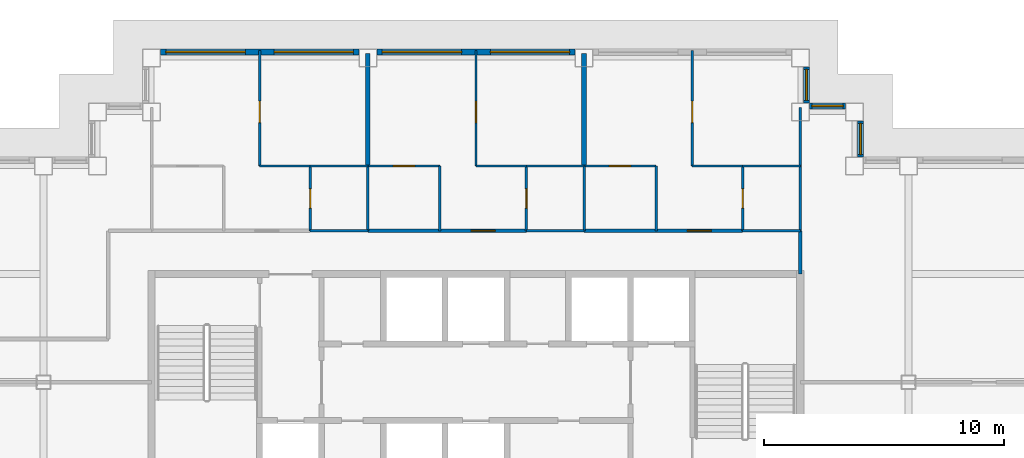
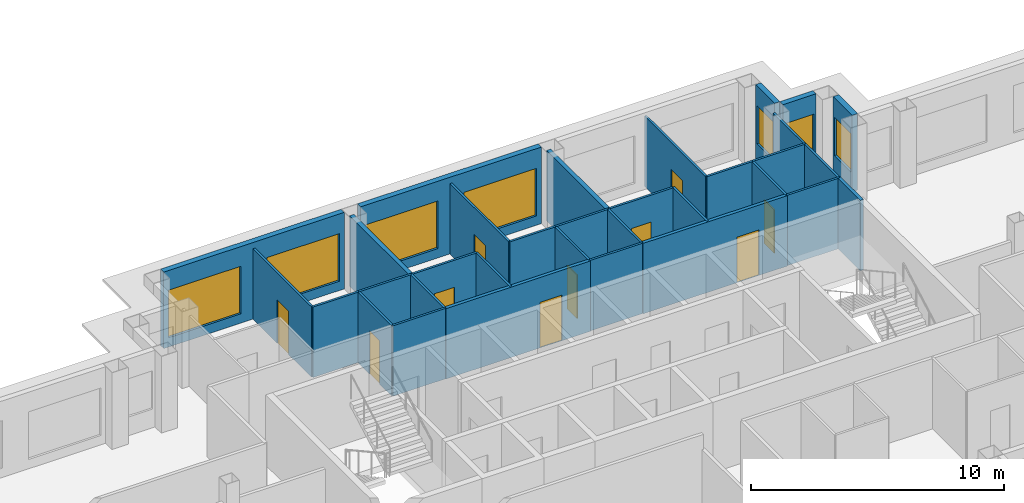
# One storey, part 8 of 13: 33 walls, 10 doors, 7 windows, 17 openings.
"""IFC4 building model written with IfcOpenShell, lengths in metres."""

from ifc_helpers import new_model, si_unit, direction, frame, frame_2d, origin, place, context, subcontext, project, spatial, rectangle, extrude, material, layer, layer_set, type_object, element, fill, save


model = new_model("IFC4")

# Units and contexts
model_context = context("Model", 3, precision=1e-05, world=origin(), true_north=direction((0.0, 1.0)))
body_context = subcontext(model_context, "Body", "Model", "MODEL_VIEW")
ifc_project = project(units=[si_unit("LENGTHUNIT", "METRE"), si_unit("AREAUNIT", "SQUARE_METRE"), si_unit("VOLUMEUNIT", "CUBIC_METRE"), si_unit("PLANEANGLEUNIT", "RADIAN"), si_unit("MASSUNIT", "GRAM", prefix="KILO")], contexts=[model_context])

# Site, building, storey
site_placement = place(None, origin())
site = spatial("IfcSite", under=ifc_project, at=site_placement, CompositionType="ELEMENT")
building_placement = place(site_placement, origin())
building = spatial("IfcBuilding", under=site, at=building_placement, Name="Caravel Reach Hotel and Residences", CompositionType="ELEMENT")
storey_placement = place(building_placement, frame((0.0, 0.0, 169.10009765625)))
storey = spatial("IfcBuildingStorey", under=building, at=storey_placement, Name="L42", CompositionType="ELEMENT", Elevation=169.10009765625)

# Walls
ifc_material_1 = material(Name="Gypsum board on steel stud", Category="steel")
ifc_layer_1 = layer(ifc_material_1, 0.10009765625)
ifc_layer_set_1 = layer_set([ifc_layer_1], Name="Bathroom pod wall 100 mm")
wall_type_1 = type_object("IfcWallType", Name="Bathroom pod wall 100 mm", PredefinedType="PARTITIONING", material=ifc_layer_set_1)
for number, where, z_axis, x_axis, name in (
    (1, (24.60009765625, 33.300048828125, 0.0), (0.0, 0.0, 1.0), (1.0, 0.0, 0.0), "L42 wall w083"),
    (2, (33.60009765625, 33.300048828125, 0.0), (0.0, 0.0, 1.0), (1.0, 0.0, 0.0), "L42 wall w084"),
    (3, (42.60009765625, 33.300048828125, 0.0), (0.0, 0.0, 1.0), (1.0, 0.0, 0.0), "L42 wall w085"),
    (4, (24.60009765625, 36.0, 0.0), (0.0, 0.0, 1.0), (1.0, 0.0, 0.0), "L42 wall w086"),
    (5, (33.60009765625, 36.0, 0.0), (0.0, 0.0, 1.0), (1.0, 0.0, 0.0), "L42 wall w087"),
    (6, (42.60009765625, 36.0, 0.0), (0.0, 0.0, 1.0), (1.0, 0.0, 0.0), "L42 wall w088"),
):
    element("IfcWall", number, at=place(storey_placement, frame(where, z_axis=z_axis, x_axis=x_axis)), inside=storey, type_object=wall_type_1, Name=name, PredefinedType="PARTITIONING", context=body_context, shape_type="SweptSolid", body=[
        extrude(rectangle(XDim=2.39990234375, YDim=0.10009765625, at=frame_2d((1.199951171875, 0.0))), origin(), (0.0, 0.0, 1.0), 3.39990234375),
    ])

# Wall, opening, door
wall_1_placement = place(storey_placement, frame((24.60009765625, 33.300048828125, 0.0), z_axis=(0.0, 0.0, 1.0), x_axis=(0.0, 1.0, 0.0)))
wall_1 = element("IfcWall", 7, at=wall_1_placement, inside=storey, type_object=wall_type_1, Name="L42 wall w092", PredefinedType="PARTITIONING", context=body_context, shape_type="SweptSolid", body=[
    extrude(rectangle(XDim=2.699951171875, YDim=0.10009765625, at=frame_2d((1.35009765625, 0.0))), origin(), (0.0, 0.0, 1.0), 3.39990234375),
])
opening_1_placement = place(wall_1_placement, frame((0.949951171875, 0.0, 0.0)))
opening_1 = element("IfcOpeningElement", 8, at=opening_1_placement, cuts=wall_1, Name="Opening D42-018", PredefinedType="OPENING", context=body_context, shape_type="SweptSolid", body=[
    extrude(rectangle(XDim=0.800048828125, YDim=2.10009765625, at=frame_2d((0.39990234375, 1.050048828125))), frame((0.0, 0.06005859375, 0.0), z_axis=(0.0, -1.0, 0.0), x_axis=(1.0, 0.0, 0.0)), (0.0, 0.0, 1.0), 0.1201171875),
])
ifc_material_2 = material(Name="Timber and steel door leaf", Category="steel")
door_type_1 = type_object("IfcDoorType", Name="Bathroom door 800 x 2100", OperationType="SINGLE_SWING_LEFT", PredefinedType="DOOR", material=ifc_material_2)
door_1_placement = place(opening_1_placement, origin())
door_1 = element("IfcDoor", 9, at=door_1_placement, inside=storey, type_object=door_type_1, Name="door D42-018", OperationType="SINGLE_SWING_RIGHT", OverallHeight=2.10009765625, OverallWidth=0.800048828125, PredefinedType="DOOR", context=body_context, shape_type="SweptSolid", body=[
    extrude(rectangle(XDim=0.800048828125, YDim=2.10009765625, at=frame_2d((0.39990234375, 1.050048828125))), frame((0.0, 0.02490234375, 0.0), z_axis=(0.0, -1.0, 0.0), x_axis=(1.0, 0.0, 0.0)), (0.0, 0.0, 1.0), 0.050048828125),
])
fill(opening_1, door_1)

# Wall
wall_2_placement = place(storey_placement, frame((27.0, 33.300048828125, 0.0), z_axis=(0.0, 0.0, 1.0), x_axis=(0.0, 1.0, 0.0)))
element("IfcWall", 10, at=wall_2_placement, inside=storey, type_object=wall_type_1, Name="L42 wall w093", PredefinedType="PARTITIONING", context=body_context, shape_type="SweptSolid", body=[
    extrude(rectangle(XDim=2.699951171875, YDim=0.10009765625, at=frame_2d((1.35009765625, 0.0))), origin(), (0.0, 0.0, 1.0), 3.39990234375),
])

# Wall, opening, door
wall_3_placement = place(storey_placement, frame((33.60009765625, 33.300048828125, 0.0), z_axis=(0.0, 0.0, 1.0), x_axis=(0.0, 1.0, 0.0)))
wall_3 = element("IfcWall", 11, at=wall_3_placement, inside=storey, type_object=wall_type_1, Name="L42 wall w098", PredefinedType="PARTITIONING", context=body_context, shape_type="SweptSolid", body=[
    extrude(rectangle(XDim=2.699951171875, YDim=0.10009765625, at=frame_2d((1.35009765625, 0.0))), origin(), (0.0, 0.0, 1.0), 3.39990234375),
])
opening_2_placement = place(wall_3_placement, frame((0.949951171875, 0.0, 0.0)))
opening_2 = element("IfcOpeningElement", 12, at=opening_2_placement, cuts=wall_3, Name="Opening D42-022", PredefinedType="OPENING", context=body_context, shape_type="SweptSolid", body=[
    extrude(rectangle(XDim=0.800048828125, YDim=2.10009765625, at=frame_2d((0.39990234375, 1.050048828125))), frame((0.0, 0.06005859375, 0.0), z_axis=(0.0, -1.0, 0.0), x_axis=(1.0, 0.0, 0.0)), (0.0, 0.0, 1.0), 0.1201171875),
])
door_2_placement = place(opening_2_placement, origin())
door_2 = element("IfcDoor", 13, at=door_2_placement, inside=storey, type_object=door_type_1, Name="door D42-022", OperationType="SINGLE_SWING_RIGHT", OverallHeight=2.10009765625, OverallWidth=0.800048828125, PredefinedType="DOOR", context=body_context, shape_type="SweptSolid", body=[
    extrude(rectangle(XDim=0.800048828125, YDim=2.10009765625, at=frame_2d((0.39990234375, 1.050048828125))), frame((0.0, 0.02490234375, 0.0), z_axis=(0.0, -1.0, 0.0), x_axis=(1.0, 0.0, 0.0)), (0.0, 0.0, 1.0), 0.050048828125),
])
fill(opening_2, door_2)

# Wall
wall_4_placement = place(storey_placement, frame((36.0, 33.300048828125, 0.0), z_axis=(0.0, 0.0, 1.0), x_axis=(0.0, 1.0, 0.0)))
element("IfcWall", 14, at=wall_4_placement, inside=storey, type_object=wall_type_1, Name="L42 wall w099", PredefinedType="PARTITIONING", context=body_context, shape_type="SweptSolid", body=[
    extrude(rectangle(XDim=2.699951171875, YDim=0.10009765625, at=frame_2d((1.35009765625, 0.0))), origin(), (0.0, 0.0, 1.0), 3.39990234375),
])

# Wall, opening, door
wall_5_placement = place(storey_placement, frame((42.60009765625, 33.300048828125, 0.0), z_axis=(0.0, 0.0, 1.0), x_axis=(0.0, 1.0, 0.0)))
wall_5 = element("IfcWall", 15, at=wall_5_placement, inside=storey, type_object=wall_type_1, Name="L42 wall w102", PredefinedType="PARTITIONING", context=body_context, shape_type="SweptSolid", body=[
    extrude(rectangle(XDim=2.699951171875, YDim=0.10009765625, at=frame_2d((1.35009765625, 0.0))), origin(), (0.0, 0.0, 1.0), 3.39990234375),
])
opening_3_placement = place(wall_5_placement, frame((0.949951171875, 0.0, 0.0)))
opening_3 = element("IfcOpeningElement", 16, at=opening_3_placement, cuts=wall_5, Name="Opening D42-026", PredefinedType="OPENING", context=body_context, shape_type="SweptSolid", body=[
    extrude(rectangle(XDim=0.800048828125, YDim=2.10009765625, at=frame_2d((0.39990234375, 1.050048828125))), frame((0.0, 0.06005859375, 0.0), z_axis=(0.0, -1.0, 0.0), x_axis=(1.0, 0.0, 0.0)), (0.0, 0.0, 1.0), 0.1201171875),
])
door_3_placement = place(opening_3_placement, origin())
door_3 = element("IfcDoor", 17, at=door_3_placement, inside=storey, type_object=door_type_1, Name="door D42-026", OperationType="SINGLE_SWING_LEFT", OverallHeight=2.10009765625, OverallWidth=0.800048828125, PredefinedType="DOOR", context=body_context, shape_type="SweptSolid", body=[
    extrude(rectangle(XDim=0.800048828125, YDim=2.10009765625, at=frame_2d((0.39990234375, 1.050048828125))), frame((0.0, 0.02490234375, 0.0), z_axis=(0.0, -1.0, 0.0), x_axis=(1.0, 0.0, 0.0)), (0.0, 0.0, 1.0), 0.050048828125),
])
fill(opening_3, door_3)

# Wall
wall_6_placement = place(storey_placement, frame((45.0, 33.300048828125, 0.0), z_axis=(0.0, 0.0, 1.0), x_axis=(0.0, 1.0, 0.0)))
element("IfcWall", 18, at=wall_6_placement, inside=storey, type_object=wall_type_1, Name="L42 wall w103", PredefinedType="PARTITIONING", context=body_context, shape_type="SweptSolid", body=[
    extrude(rectangle(XDim=2.699951171875, YDim=0.10009765625, at=frame_2d((1.35009765625, 0.0))), origin(), (0.0, 0.0, 1.0), 3.39990234375),
])

# Wall, opening, door
ifc_material_3 = material(Name="Gypsum board on steel stud, fire-rated", Category="steel")
ifc_layer_2 = layer(ifc_material_3, 0.14990234375)
ifc_layer_set_2 = layer_set([ifc_layer_2], Name="Corridor wall 150 mm EI 60")
wall_type_2 = type_object("IfcWallType", Name="Corridor wall 150 mm EI 60", PredefinedType="PARTITIONING", material=ifc_layer_set_2)
wall_7_placement = place(storey_placement, frame((27.0, 33.300048828125, 0.0), z_axis=(0.0, 0.0, 1.0), x_axis=(1.0, 0.0, 0.0)))
wall_7 = element("IfcWall", 19, at=wall_7_placement, inside=storey, type_object=wall_type_2, Name="L42 wall w015", PredefinedType="PARTITIONING", context=body_context, shape_type="SweptSolid", body=[
    extrude(rectangle(XDim=6.60009765625, YDim=0.14990234375, at=frame_2d((3.300048828125, 0.0))), origin(), (0.0, 0.0, 1.0), 3.39990234375),
])
opening_4_placement = place(wall_7_placement, frame((4.300048828125, 0.0, 0.0)))
opening_4 = element("IfcOpeningElement", 20, at=opening_4_placement, cuts=wall_7, Name="Opening D42-020", PredefinedType="OPENING", context=body_context, shape_type="SweptSolid", body=[
    extrude(rectangle(XDim=1.0, YDim=2.199951171875, at=frame_2d((0.5, 1.10009765625))), frame((0.0, 0.0849609375, 0.0), z_axis=(0.0, -1.0, 0.0), x_axis=(1.0, 0.0, 0.0)), (0.0, 0.0, 1.0), 0.169921875),
])
ifc_material_4 = material(Name="Steel fire door leaf", Category="steel")
door_type_2 = type_object("IfcDoorType", Name="Flat entrance door 1000 x 2200 EI 60", OperationType="SINGLE_SWING_LEFT", PredefinedType="DOOR", material=ifc_material_4)
door_4_placement = place(opening_4_placement, origin())
door_4 = element("IfcDoor", 21, at=door_4_placement, inside=storey, type_object=door_type_2, Name="door D42-020", OperationType="SINGLE_SWING_RIGHT", OverallHeight=2.199951171875, OverallWidth=1.0, PredefinedType="DOOR", context=body_context, shape_type="SweptSolid", body=[
    extrude(rectangle(XDim=1.0, YDim=2.199951171875, at=frame_2d((0.5, 1.10009765625))), frame((0.0, 0.02490234375, 0.0), z_axis=(0.0, -1.0, 0.0), x_axis=(1.0, 0.0, 0.0)), (0.0, 0.0, 1.0), 0.050048828125),
])
fill(opening_4, door_4)

wall_8_placement = place(storey_placement, frame((36.0, 33.300048828125, 0.0), z_axis=(0.0, 0.0, 1.0), x_axis=(1.0, 0.0, 0.0)))
wall_8 = element("IfcWall", 22, at=wall_8_placement, inside=storey, type_object=wall_type_2, Name="L42 wall w017", PredefinedType="PARTITIONING", context=body_context, shape_type="SweptSolid", body=[
    extrude(rectangle(XDim=6.60009765625, YDim=0.14990234375, at=frame_2d((3.300048828125, 0.0))), origin(), (0.0, 0.0, 1.0), 3.39990234375),
])
opening_5_placement = place(wall_8_placement, frame((4.300048828125, 0.0, 0.0)))
opening_5 = element("IfcOpeningElement", 23, at=opening_5_placement, cuts=wall_8, Name="Opening D42-024", PredefinedType="OPENING", context=body_context, shape_type="SweptSolid", body=[
    extrude(rectangle(XDim=1.0, YDim=2.199951171875, at=frame_2d((0.5, 1.10009765625))), frame((0.0, 0.0849609375, 0.0), z_axis=(0.0, -1.0, 0.0), x_axis=(1.0, 0.0, 0.0)), (0.0, 0.0, 1.0), 0.169921875),
])
door_5_placement = place(opening_5_placement, origin())
door_5 = element("IfcDoor", 24, at=door_5_placement, inside=storey, type_object=door_type_2, Name="door D42-024", OperationType="SINGLE_SWING_LEFT", OverallHeight=2.199951171875, OverallWidth=1.0, PredefinedType="DOOR", context=body_context, shape_type="SweptSolid", body=[
    extrude(rectangle(XDim=1.0, YDim=2.199951171875, at=frame_2d((0.5, 1.10009765625))), frame((0.0, 0.02490234375, 0.0), z_axis=(0.0, -1.0, 0.0), x_axis=(1.0, 0.0, 0.0)), (0.0, 0.0, 1.0), 0.050048828125),
])
fill(opening_5, door_5)

# Wall
wall_9_placement = place(storey_placement, frame((45.0, 31.5, 0.0), z_axis=(0.0, 0.0, 1.0), x_axis=(0.0, 1.0, 0.0)))
element("IfcWall", 25, at=wall_9_placement, inside=storey, type_object=wall_type_2, Name="L42 wall w028", PredefinedType="PARTITIONING", context=body_context, shape_type="SweptSolid", body=[
    extrude(rectangle(XDim=1.800048828125, YDim=0.14990234375, at=frame_2d((0.89990234375, 0.0))), origin(), (0.0, 0.0, 1.0), 3.39990234375),
])

# Wall, opening, window
ifc_material_5 = material(Name="Insulated rainscreen wall, aluminium cladding", Category="aluminium")
ifc_layer_3 = layer(ifc_material_5, 0.25)
ifc_layer_set_3 = layer_set([ifc_layer_3], Name="EW1 Tower rainscreen wall")
wall_type_3 = type_object("IfcWallType", Name="EW1 Tower rainscreen wall", PredefinedType="SOLIDWALL", material=ifc_layer_set_3)
wall_10_placement = place(storey_placement, frame((47.5, 36.375, 0.0), z_axis=(0.0, 0.0, 1.0), x_axis=(0.0, 1.0, 0.0)))
wall_10 = element("IfcWall", 26, at=wall_10_placement, inside=storey, type_object=wall_type_3, Name="External wall L42 E26.1", PredefinedType="SOLIDWALL", context=body_context, shape_type="SweptSolid", body=[
    extrude(rectangle(XDim=1.5, YDim=0.25, at=frame_2d((0.75, 0.0))), origin(), (0.0, 0.0, 1.0), 3.699951171875),
])
opening_6_placement = place(wall_10_placement, frame((0.10009765625, 0.0, 0.89990234375)))
opening_6 = element("IfcOpeningElement", 27, at=opening_6_placement, cuts=wall_10, Name="Opening WN16", PredefinedType="OPENING", context=body_context, shape_type="SweptSolid", body=[
    extrude(rectangle(XDim=1.300048828125, YDim=1.85009765625, at=frame_2d((0.64990234375, 0.925048828125))), frame((0.0, 0.135009765625, 0.0), z_axis=(0.0, -1.0, 0.0), x_axis=(1.0, 0.0, 0.0)), (0.0, 0.0, 1.0), 0.27001953125),
])
ifc_material_6 = material(Name="Dark low-e glazing in black aluminium frame", Category="aluminium")
window_type_1 = type_object("IfcWindowType", Name="Residence bedroom window 1300 x 1850", PartitioningType="SINGLE_PANEL", PredefinedType="WINDOW", material=ifc_material_6)
window_1_placement = place(opening_6_placement, origin())
window_1 = element("IfcWindow", 28, at=window_1_placement, inside=storey, type_object=window_type_1, Name="Window L42 E26.1.1", OverallHeight=1.85009765625, OverallWidth=1.300048828125, PartitioningType="SINGLE_PANEL", PredefinedType="WINDOW", context=body_context, shape_type="SweptSolid", body=[
    extrude(rectangle(XDim=1.300048828125, YDim=1.85009765625, at=frame_2d((0.64990234375, 0.925048828125))), frame((0.0, 0.030029296875, 0.0), z_axis=(0.0, -1.0, 0.0), x_axis=(1.0, 0.0, 0.0)), (0.0, 0.0, 1.0), 0.06005859375),
])
fill(opening_6, window_1)

wall_11_placement = place(storey_placement, frame((46.875, 38.5, 0.0), z_axis=(0.0, 0.0, 1.0), x_axis=(-1.0, 0.0, 0.0)))
wall_11 = element("IfcWall", 29, at=wall_11_placement, inside=storey, type_object=wall_type_3, Name="External wall L42 N27.1", PredefinedType="SOLIDWALL", context=body_context, shape_type="SweptSolid", body=[
    extrude(rectangle(XDim=1.5, YDim=0.25, at=frame_2d((0.75, 0.0))), origin(), (0.0, 0.0, 1.0), 3.699951171875),
])
opening_7_placement = place(wall_11_placement, frame((0.10009765625, 0.0, 0.89990234375)))
opening_7 = element("IfcOpeningElement", 30, at=opening_7_placement, cuts=wall_11, Name="Opening WN16", PredefinedType="OPENING", context=body_context, shape_type="SweptSolid", body=[
    extrude(rectangle(XDim=1.300048828125, YDim=1.85009765625, at=frame_2d((0.64990234375, 0.925048828125))), frame((0.0, 0.135009765625, 0.0), z_axis=(0.0, -1.0, 0.0), x_axis=(1.0, 0.0, 0.0)), (0.0, 0.0, 1.0), 0.27001953125),
])
window_2_placement = place(opening_7_placement, origin())
window_2 = element("IfcWindow", 31, at=window_2_placement, inside=storey, type_object=window_type_1, Name="Window L42 N27.1.1", OverallHeight=1.85009765625, OverallWidth=1.300048828125, PartitioningType="SINGLE_PANEL", PredefinedType="WINDOW", context=body_context, shape_type="SweptSolid", body=[
    extrude(rectangle(XDim=1.300048828125, YDim=1.85009765625, at=frame_2d((0.64990234375, 0.925048828125))), frame((0.0, 0.030029296875, 0.0), z_axis=(0.0, -1.0, 0.0), x_axis=(1.0, 0.0, 0.0)), (0.0, 0.0, 1.0), 0.06005859375),
])
fill(opening_7, window_2)

wall_12_placement = place(storey_placement, frame((45.25, 38.625, 0.0), z_axis=(0.0, 0.0, 1.0), x_axis=(0.0, 1.0, 0.0)))
wall_12 = element("IfcWall", 32, at=wall_12_placement, inside=storey, type_object=wall_type_3, Name="External wall L42 E28.1", PredefinedType="SOLIDWALL", context=body_context, shape_type="SweptSolid", body=[
    extrude(rectangle(XDim=1.5, YDim=0.25, at=frame_2d((0.75, 0.0))), origin(), (0.0, 0.0, 1.0), 3.699951171875),
])
opening_8_placement = place(wall_12_placement, frame((0.10009765625, 0.0, 0.89990234375)))
opening_8 = element("IfcOpeningElement", 33, at=opening_8_placement, cuts=wall_12, Name="Opening WN16", PredefinedType="OPENING", context=body_context, shape_type="SweptSolid", body=[
    extrude(rectangle(XDim=1.300048828125, YDim=1.85009765625, at=frame_2d((0.64990234375, 0.925048828125))), frame((0.0, 0.135009765625, 0.0), z_axis=(0.0, -1.0, 0.0), x_axis=(1.0, 0.0, 0.0)), (0.0, 0.0, 1.0), 0.27001953125),
])
window_3_placement = place(opening_8_placement, origin())
window_3 = element("IfcWindow", 34, at=window_3_placement, inside=storey, type_object=window_type_1, Name="Window L42 E28.1.1", OverallHeight=1.85009765625, OverallWidth=1.300048828125, PartitioningType="SINGLE_PANEL", PredefinedType="WINDOW", context=body_context, shape_type="SweptSolid", body=[
    extrude(rectangle(XDim=1.300048828125, YDim=1.85009765625, at=frame_2d((0.64990234375, 0.925048828125))), frame((0.0, 0.030029296875, 0.0), z_axis=(0.0, -1.0, 0.0), x_axis=(1.0, 0.0, 0.0)), (0.0, 0.0, 1.0), 0.06005859375),
])
fill(opening_8, window_3)

# Wall, openings, windows
wall_13_placement = place(storey_placement, frame((35.625, 40.75, 0.0), z_axis=(0.0, 0.0, 1.0), x_axis=(-1.0, 0.0, 0.0)))
wall_13 = element("IfcWall", 35, at=wall_13_placement, inside=storey, type_object=wall_type_3, Name="External wall L42 N29.2", PredefinedType="SOLIDWALL", context=body_context, shape_type="SweptSolid", body=[
    extrude(rectangle(XDim=8.25, YDim=0.25, at=frame_2d((4.125, 0.0))), origin(), (0.0, 0.0, 1.0), 3.699951171875),
])
opening_9_placement = place(wall_13_placement, frame((0.22509765625, 0.0, 0.449951171875)))
opening_9 = element("IfcOpeningElement", 36, at=opening_9_placement, cuts=wall_13, Name="Opening WN15", PredefinedType="OPENING", context=body_context, shape_type="SweptSolid", body=[
    extrude(rectangle(XDim=3.300048828125, YDim=2.300048828125, at=frame_2d((1.64990234375, 1.14990234375))), frame((0.0, 0.135009765625, 0.0), z_axis=(0.0, -1.0, 0.0), x_axis=(1.0, 0.0, 0.0)), (0.0, 0.0, 1.0), 0.27001953125),
])
opening_10_placement = place(wall_13_placement, frame((4.72509765625, 0.0, 0.449951171875)))
opening_10 = element("IfcOpeningElement", 37, at=opening_10_placement, cuts=wall_13, Name="Opening WN15", PredefinedType="OPENING", context=body_context, shape_type="SweptSolid", body=[
    extrude(rectangle(XDim=3.300048828125, YDim=2.300048828125, at=frame_2d((1.64990234375, 1.14990234375))), frame((0.0, 0.135009765625, 0.0), z_axis=(0.0, -1.0, 0.0), x_axis=(1.0, 0.0, 0.0)), (0.0, 0.0, 1.0), 0.27001953125),
])
ifc_material_7 = material(Name="Dark low-e glazing in black aluminium frame", Category="aluminium")
window_type_2 = type_object("IfcWindowType", Name="Residence living window 3300 x 2300", PartitioningType="SINGLE_PANEL", PredefinedType="WINDOW", material=ifc_material_7)
window_4_placement = place(opening_9_placement, origin())
window_4 = element("IfcWindow", 38, at=window_4_placement, inside=storey, type_object=window_type_2, Name="Window L42 N29.2.1", OverallHeight=2.300048828125, OverallWidth=3.300048828125, PartitioningType="SINGLE_PANEL", PredefinedType="WINDOW", context=body_context, shape_type="SweptSolid", body=[
    extrude(rectangle(XDim=3.300048828125, YDim=2.300048828125, at=frame_2d((1.64990234375, 1.14990234375))), frame((0.0, 0.030029296875, 0.0), z_axis=(0.0, -1.0, 0.0), x_axis=(1.0, 0.0, 0.0)), (0.0, 0.0, 1.0), 0.06005859375),
])
fill(opening_9, window_4)
window_5_placement = place(opening_10_placement, origin())
window_5 = element("IfcWindow", 39, at=window_5_placement, inside=storey, type_object=window_type_2, Name="Window L42 N29.2.2", OverallHeight=2.300048828125, OverallWidth=3.300048828125, PartitioningType="SINGLE_PANEL", PredefinedType="WINDOW", context=body_context, shape_type="SweptSolid", body=[
    extrude(rectangle(XDim=3.300048828125, YDim=2.300048828125, at=frame_2d((1.64990234375, 1.14990234375))), frame((0.0, 0.030029296875, 0.0), z_axis=(0.0, -1.0, 0.0), x_axis=(1.0, 0.0, 0.0)), (0.0, 0.0, 1.0), 0.06005859375),
])
fill(opening_10, window_5)

wall_14_placement = place(storey_placement, frame((26.625, 40.75, 0.0), z_axis=(0.0, 0.0, 1.0), x_axis=(-1.0, 0.0, 0.0)))
wall_14 = element("IfcWall", 40, at=wall_14_placement, inside=storey, type_object=wall_type_3, Name="External wall L42 N29.3", PredefinedType="SOLIDWALL", context=body_context, shape_type="SweptSolid", body=[
    extrude(rectangle(XDim=8.25, YDim=0.25, at=frame_2d((4.125, 0.0))), origin(), (0.0, 0.0, 1.0), 3.699951171875),
])
opening_11_placement = place(wall_14_placement, frame((0.22509765625, 0.0, 0.449951171875)))
opening_11 = element("IfcOpeningElement", 41, at=opening_11_placement, cuts=wall_14, Name="Opening WN15", PredefinedType="OPENING", context=body_context, shape_type="SweptSolid", body=[
    extrude(rectangle(XDim=3.300048828125, YDim=2.300048828125, at=frame_2d((1.64990234375, 1.14990234375))), frame((0.0, 0.135009765625, 0.0), z_axis=(0.0, -1.0, 0.0), x_axis=(1.0, 0.0, 0.0)), (0.0, 0.0, 1.0), 0.27001953125),
])
opening_12_placement = place(wall_14_placement, frame((4.72509765625, 0.0, 0.449951171875)))
opening_12 = element("IfcOpeningElement", 42, at=opening_12_placement, cuts=wall_14, Name="Opening WN15", PredefinedType="OPENING", context=body_context, shape_type="SweptSolid", body=[
    extrude(rectangle(XDim=3.300048828125, YDim=2.300048828125, at=frame_2d((1.64990234375, 1.14990234375))), frame((0.0, 0.135009765625, 0.0), z_axis=(0.0, -1.0, 0.0), x_axis=(1.0, 0.0, 0.0)), (0.0, 0.0, 1.0), 0.27001953125),
])
window_6_placement = place(opening_11_placement, origin())
window_6 = element("IfcWindow", 43, at=window_6_placement, inside=storey, type_object=window_type_2, Name="Window L42 N29.3.1", OverallHeight=2.300048828125, OverallWidth=3.300048828125, PartitioningType="SINGLE_PANEL", PredefinedType="WINDOW", context=body_context, shape_type="SweptSolid", body=[
    extrude(rectangle(XDim=3.300048828125, YDim=2.300048828125, at=frame_2d((1.64990234375, 1.14990234375))), frame((0.0, 0.030029296875, 0.0), z_axis=(0.0, -1.0, 0.0), x_axis=(1.0, 0.0, 0.0)), (0.0, 0.0, 1.0), 0.06005859375),
])
fill(opening_11, window_6)
window_7_placement = place(opening_12_placement, origin())
window_7 = element("IfcWindow", 44, at=window_7_placement, inside=storey, type_object=window_type_2, Name="Window L42 N29.3.2", OverallHeight=2.300048828125, OverallWidth=3.300048828125, PartitioningType="SINGLE_PANEL", PredefinedType="WINDOW", context=body_context, shape_type="SweptSolid", body=[
    extrude(rectangle(XDim=3.300048828125, YDim=2.300048828125, at=frame_2d((1.64990234375, 1.14990234375))), frame((0.0, 0.030029296875, 0.0), z_axis=(0.0, -1.0, 0.0), x_axis=(1.0, 0.0, 0.0)), (0.0, 0.0, 1.0), 0.06005859375),
])
fill(opening_12, window_7)

# Walls
ifc_material_8 = material(Name="Gypsum board on steel stud", Category="steel")
ifc_layer_4 = layer(ifc_material_8, 0.10009765625)
ifc_layer_set_4 = layer_set([ifc_layer_4], Name="Partition 100 mm")
wall_type_4 = type_object("IfcWallType", Name="Partition 100 mm", PredefinedType="PARTITIONING", material=ifc_layer_set_4)
for number, where, z_axis, x_axis, name in (
    (45, (22.5, 36.0, 0.0), (0.0, 0.0, 1.0), (1.0, 0.0, 0.0), "L42 wall w044"),
    (46, (31.5, 36.0, 0.0), (0.0, 0.0, 1.0), (1.0, 0.0, 0.0), "L42 wall w046"),
):
    element("IfcWall", number, at=place(storey_placement, frame(where, z_axis=z_axis, x_axis=x_axis)), inside=storey, type_object=wall_type_4, Name=name, PredefinedType="PARTITIONING", context=body_context, shape_type="SweptSolid", body=[
        extrude(rectangle(XDim=2.10009765625, YDim=0.10009765625, at=frame_2d((1.050048828125, 0.0))), origin(), (0.0, 0.0, 1.0), 3.39990234375),
    ])

# Wall, opening, door
wall_15_placement = place(storey_placement, frame((27.0, 36.0, 0.0), z_axis=(0.0, 0.0, 1.0), x_axis=(1.0, 0.0, 0.0)))
wall_15 = element("IfcWall", 47, at=wall_15_placement, inside=storey, type_object=wall_type_4, Name="L42 wall w047", PredefinedType="PARTITIONING", context=body_context, shape_type="SweptSolid", body=[
    extrude(rectangle(XDim=3.0, YDim=0.10009765625, at=frame_2d((1.5, 0.0))), origin(), (0.0, 0.0, 1.0), 3.39990234375),
])
opening_13_placement = place(wall_15_placement, frame((1.050048828125, 0.0, 0.0)))
opening_13 = element("IfcOpeningElement", 48, at=opening_13_placement, cuts=wall_15, Name="Opening D42-021", PredefinedType="OPENING", context=body_context, shape_type="SweptSolid", body=[
    extrude(rectangle(XDim=0.89990234375, YDim=2.10009765625, at=frame_2d((0.449951171875, 1.050048828125))), frame((0.0, 0.06005859375, 0.0), z_axis=(0.0, -1.0, 0.0), x_axis=(1.0, 0.0, 0.0)), (0.0, 0.0, 1.0), 0.1201171875),
])
ifc_material_9 = material(Name="Timber and steel door leaf", Category="steel")
door_type_3 = type_object("IfcDoorType", Name="Door 900 x 2100 timber", OperationType="SINGLE_SWING_LEFT", PredefinedType="DOOR", material=ifc_material_9)
door_6_placement = place(opening_13_placement, origin())
door_6 = element("IfcDoor", 49, at=door_6_placement, inside=storey, type_object=door_type_3, Name="door D42-021", OperationType="SINGLE_SWING_RIGHT", OverallHeight=2.10009765625, OverallWidth=0.89990234375, PredefinedType="DOOR", context=body_context, shape_type="SweptSolid", body=[
    extrude(rectangle(XDim=0.89990234375, YDim=2.10009765625, at=frame_2d((0.449951171875, 1.050048828125))), frame((0.0, 0.02490234375, 0.0), z_axis=(0.0, -1.0, 0.0), x_axis=(1.0, 0.0, 0.0)), (0.0, 0.0, 1.0), 0.050048828125),
])
fill(opening_13, door_6)

# Wall
wall_16_placement = place(storey_placement, frame((40.5, 36.0, 0.0), z_axis=(0.0, 0.0, 1.0), x_axis=(1.0, 0.0, 0.0)))
element("IfcWall", 50, at=wall_16_placement, inside=storey, type_object=wall_type_4, Name="L42 wall w048", PredefinedType="PARTITIONING", context=body_context, shape_type="SweptSolid", body=[
    extrude(rectangle(XDim=2.10009765625, YDim=0.10009765625, at=frame_2d((1.050048828125, 0.0))), origin(), (0.0, 0.0, 1.0), 3.39990234375),
])

# Wall, opening, door
wall_17_placement = place(storey_placement, frame((36.0, 36.0, 0.0), z_axis=(0.0, 0.0, 1.0), x_axis=(1.0, 0.0, 0.0)))
wall_17 = element("IfcWall", 51, at=wall_17_placement, inside=storey, type_object=wall_type_4, Name="L42 wall w049", PredefinedType="PARTITIONING", context=body_context, shape_type="SweptSolid", body=[
    extrude(rectangle(XDim=3.0, YDim=0.10009765625, at=frame_2d((1.5, 0.0))), origin(), (0.0, 0.0, 1.0), 3.39990234375),
])
opening_14_placement = place(wall_17_placement, frame((1.050048828125, 0.0, 0.0)))
opening_14 = element("IfcOpeningElement", 52, at=opening_14_placement, cuts=wall_17, Name="Opening D42-025", PredefinedType="OPENING", context=body_context, shape_type="SweptSolid", body=[
    extrude(rectangle(XDim=0.89990234375, YDim=2.10009765625, at=frame_2d((0.449951171875, 1.050048828125))), frame((0.0, 0.06005859375, 0.0), z_axis=(0.0, -1.0, 0.0), x_axis=(1.0, 0.0, 0.0)), (0.0, 0.0, 1.0), 0.1201171875),
])
door_7_placement = place(opening_14_placement, origin())
door_7 = element("IfcDoor", 53, at=door_7_placement, inside=storey, type_object=door_type_3, Name="door D42-025", OperationType="SINGLE_SWING_RIGHT", OverallHeight=2.10009765625, OverallWidth=0.89990234375, PredefinedType="DOOR", context=body_context, shape_type="SweptSolid", body=[
    extrude(rectangle(XDim=0.89990234375, YDim=2.10009765625, at=frame_2d((0.449951171875, 1.050048828125))), frame((0.0, 0.02490234375, 0.0), z_axis=(0.0, -1.0, 0.0), x_axis=(1.0, 0.0, 0.0)), (0.0, 0.0, 1.0), 0.050048828125),
])
fill(opening_14, door_7)

wall_18_placement = place(storey_placement, frame((22.5, 36.0, 0.0), z_axis=(0.0, 0.0, 1.0), x_axis=(0.0, 1.0, 0.0)))
wall_18 = element("IfcWall", 54, at=wall_18_placement, inside=storey, type_object=wall_type_4, Name="L42 wall w057", PredefinedType="PARTITIONING", context=body_context, shape_type="SweptSolid", body=[
    extrude(rectangle(XDim=4.81494140625, YDim=0.10009765625, at=frame_2d((2.407470703125, 0.0))), origin(), (0.0, 0.0, 1.0), 3.39990234375),
])
opening_15_placement = place(wall_18_placement, frame((1.800048828125, 0.0, 0.0)))
opening_15 = element("IfcOpeningElement", 55, at=opening_15_placement, cuts=wall_18, Name="Opening D42-019", PredefinedType="OPENING", context=body_context, shape_type="SweptSolid", body=[
    extrude(rectangle(XDim=0.89990234375, YDim=2.10009765625, at=frame_2d((0.449951171875, 1.050048828125))), frame((0.0, 0.06005859375, 0.0), z_axis=(0.0, -1.0, 0.0), x_axis=(1.0, 0.0, 0.0)), (0.0, 0.0, 1.0), 0.1201171875),
])
door_8_placement = place(opening_15_placement, origin())
door_8 = element("IfcDoor", 56, at=door_8_placement, inside=storey, type_object=door_type_3, Name="door D42-019", OperationType="SINGLE_SWING_RIGHT", OverallHeight=2.10009765625, OverallWidth=0.89990234375, PredefinedType="DOOR", context=body_context, shape_type="SweptSolid", body=[
    extrude(rectangle(XDim=0.89990234375, YDim=2.10009765625, at=frame_2d((0.449951171875, 1.050048828125))), frame((0.0, 0.02490234375, 0.0), z_axis=(0.0, -1.0, 0.0), x_axis=(1.0, 0.0, 0.0)), (0.0, 0.0, 1.0), 0.050048828125),
])
fill(opening_15, door_8)

# Wall
wall_19_placement = place(storey_placement, frame((30.0, 33.300048828125, 0.0), z_axis=(0.0, 0.0, 1.0), x_axis=(0.0, 1.0, 0.0)))
element("IfcWall", 57, at=wall_19_placement, inside=storey, type_object=wall_type_4, Name="L42 wall w059", PredefinedType="PARTITIONING", context=body_context, shape_type="SweptSolid", body=[
    extrude(rectangle(XDim=2.699951171875, YDim=0.10009765625, at=frame_2d((1.35009765625, 0.0))), origin(), (0.0, 0.0, 1.0), 3.39990234375),
])

# Wall, opening, door
wall_20_placement = place(storey_placement, frame((31.5, 36.0, 0.0), z_axis=(0.0, 0.0, 1.0), x_axis=(0.0, 1.0, 0.0)))
wall_20 = element("IfcWall", 58, at=wall_20_placement, inside=storey, type_object=wall_type_4, Name="L42 wall w060", PredefinedType="PARTITIONING", context=body_context, shape_type="SweptSolid", body=[
    extrude(rectangle(XDim=4.81494140625, YDim=0.10009765625, at=frame_2d((2.407470703125, 0.0))), origin(), (0.0, 0.0, 1.0), 3.39990234375),
])
opening_16_placement = place(wall_20_placement, frame((1.800048828125, 0.0, 0.0)))
opening_16 = element("IfcOpeningElement", 59, at=opening_16_placement, cuts=wall_20, Name="Opening D42-023", PredefinedType="OPENING", context=body_context, shape_type="SweptSolid", body=[
    extrude(rectangle(XDim=0.89990234375, YDim=2.10009765625, at=frame_2d((0.449951171875, 1.050048828125))), frame((0.0, 0.06005859375, 0.0), z_axis=(0.0, -1.0, 0.0), x_axis=(1.0, 0.0, 0.0)), (0.0, 0.0, 1.0), 0.1201171875),
])
door_9_placement = place(opening_16_placement, origin())
door_9 = element("IfcDoor", 60, at=door_9_placement, inside=storey, type_object=door_type_3, Name="door D42-023", OperationType="SINGLE_SWING_RIGHT", OverallHeight=2.10009765625, OverallWidth=0.89990234375, PredefinedType="DOOR", context=body_context, shape_type="SweptSolid", body=[
    extrude(rectangle(XDim=0.89990234375, YDim=2.10009765625, at=frame_2d((0.449951171875, 1.050048828125))), frame((0.0, 0.02490234375, 0.0), z_axis=(0.0, -1.0, 0.0), x_axis=(1.0, 0.0, 0.0)), (0.0, 0.0, 1.0), 0.050048828125),
])
fill(opening_16, door_9)

# Wall
wall_21_placement = place(storey_placement, frame((39.0, 33.300048828125, 0.0), z_axis=(0.0, 0.0, 1.0), x_axis=(0.0, 1.0, 0.0)))
element("IfcWall", 61, at=wall_21_placement, inside=storey, type_object=wall_type_4, Name="L42 wall w063", PredefinedType="PARTITIONING", context=body_context, shape_type="SweptSolid", body=[
    extrude(rectangle(XDim=2.699951171875, YDim=0.10009765625, at=frame_2d((1.35009765625, 0.0))), origin(), (0.0, 0.0, 1.0), 3.39990234375),
])

# Wall, opening, door
wall_22_placement = place(storey_placement, frame((40.5, 36.0, 0.0), z_axis=(0.0, 0.0, 1.0), x_axis=(0.0, 1.0, 0.0)))
wall_22 = element("IfcWall", 62, at=wall_22_placement, inside=storey, type_object=wall_type_4, Name="L42 wall w067", PredefinedType="PARTITIONING", context=body_context, shape_type="SweptSolid", body=[
    extrude(rectangle(XDim=4.81494140625, YDim=0.10009765625, at=frame_2d((2.407470703125, 0.0))), origin(), (0.0, 0.0, 1.0), 3.39990234375),
])
opening_17_placement = place(wall_22_placement, frame((1.800048828125, 0.0, 0.0)))
opening_17 = element("IfcOpeningElement", 63, at=opening_17_placement, cuts=wall_22, Name="Opening D42-027", PredefinedType="OPENING", context=body_context, shape_type="SweptSolid", body=[
    extrude(rectangle(XDim=0.89990234375, YDim=2.10009765625, at=frame_2d((0.449951171875, 1.050048828125))), frame((0.0, 0.06005859375, 0.0), z_axis=(0.0, -1.0, 0.0), x_axis=(1.0, 0.0, 0.0)), (0.0, 0.0, 1.0), 0.1201171875),
])
door_10_placement = place(opening_17_placement, origin())
door_10 = element("IfcDoor", 64, at=door_10_placement, inside=storey, type_object=door_type_3, Name="door D42-027", OperationType="SINGLE_SWING_RIGHT", OverallHeight=2.10009765625, OverallWidth=0.89990234375, PredefinedType="DOOR", context=body_context, shape_type="SweptSolid", body=[
    extrude(rectangle(XDim=0.89990234375, YDim=2.10009765625, at=frame_2d((0.449951171875, 1.050048828125))), frame((0.0, 0.02490234375, 0.0), z_axis=(0.0, -1.0, 0.0), x_axis=(1.0, 0.0, 0.0)), (0.0, 0.0, 1.0), 0.050048828125),
])
fill(opening_17, door_10)

# Walls
wall_23_placement = place(storey_placement, frame((45.0, 36.0009765625, 0.0), z_axis=(0.0, 0.0, 1.0), x_axis=(0.0, 1.0, 0.0)))
element("IfcWall", 65, at=wall_23_placement, inside=storey, type_object=wall_type_4, Name="L42 wall w071", PredefinedType="PARTITIONING", context=body_context, shape_type="SweptSolid", body=[
    extrude(rectangle(XDim=2.43896484375, YDim=0.10009765625, at=frame_2d((1.219482421875, 0.0))), origin(), (0.0, 0.0, 1.0), 3.39990234375),
])
ifc_material_10 = material(Name="Autoclaved aerated block wall")
ifc_layer_5 = layer(ifc_material_10, 0.199951171875)
ifc_layer_set_5 = layer_set([ifc_layer_5], Name="Party wall 200 mm EI 60")
wall_type_5 = type_object("IfcWallType", Name="Party wall 200 mm EI 60", PredefinedType="PARTITIONING", material=ifc_layer_set_5)
for number, where, z_axis, x_axis, name in (
    (66, (27.0, 36.0, 0.0), (0.0, 0.0, 1.0), (0.0, 1.0, 0.0), "L42 wall w076"),
    (67, (36.0, 36.0, 0.0), (0.0, 0.0, 1.0), (0.0, 1.0, 0.0), "L42 wall w077"),
):
    element("IfcWall", number, at=place(storey_placement, frame(where, z_axis=z_axis, x_axis=x_axis)), inside=storey, type_object=wall_type_5, Name=name, PredefinedType="PARTITIONING", context=body_context, shape_type="SweptSolid", body=[
        extrude(rectangle(XDim=4.68994140625, YDim=0.199951171875, at=frame_2d((2.344970703125, 0.0))), origin(), (0.0, 0.0, 1.0), 3.39990234375),
    ])

save(model, "model.ifc")
